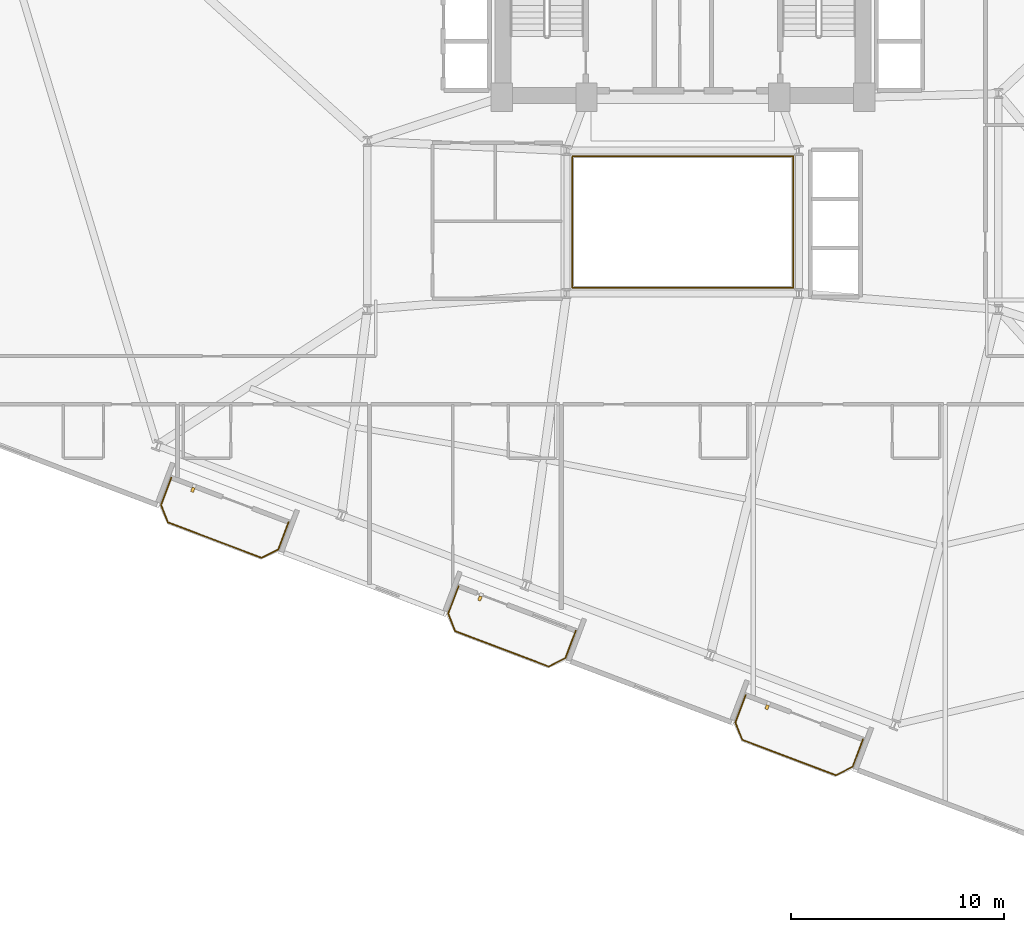
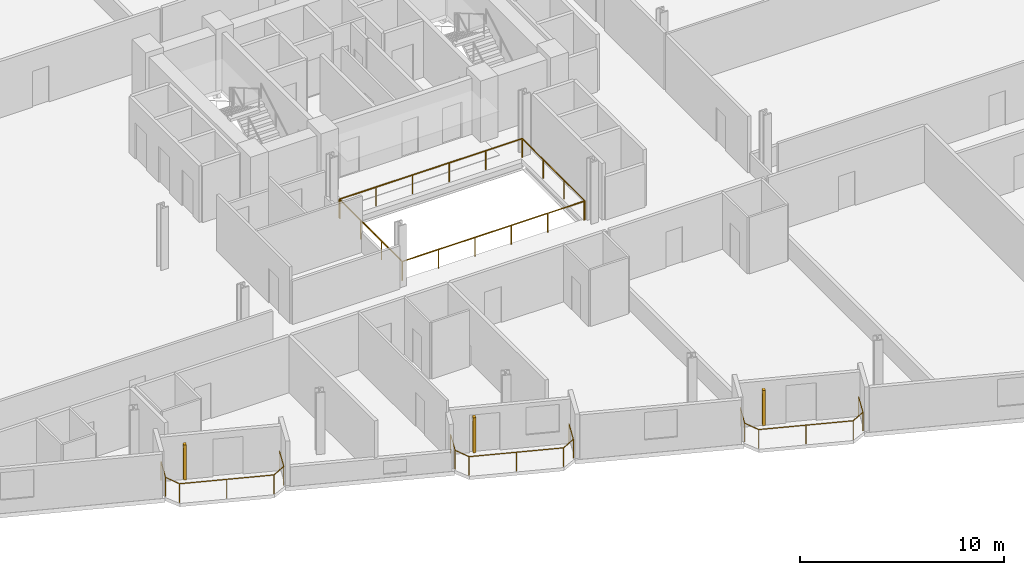
# One storey, part 23 of 25: 5 railings, 3 shading devices.
"""IFC4 building model written with IfcOpenShell, lengths in metres."""

from ifc_helpers import new_model, si_unit, direction, frame, origin, origin_2d, place, context, subcontext, project, spatial, rectangle, circle, extrude, source, transform, mapped, material, type_object, element, save


model = new_model("IFC4")

# Units and contexts
model_context = context("Model", 3, precision=1e-05, world=origin(), true_north=direction((0.0, 1.0)))
body_context = subcontext(model_context, "Body", "Model", "MODEL_VIEW")
ifc_project = project(units=[si_unit("LENGTHUNIT", "METRE"), si_unit("AREAUNIT", "SQUARE_METRE"), si_unit("VOLUMEUNIT", "CUBIC_METRE"), si_unit("PLANEANGLEUNIT", "RADIAN"), si_unit("MASSUNIT", "GRAM", prefix="KILO")], contexts=[model_context])

# Site, building, storey
site_placement = place(None, origin())
site = spatial("IfcSite", under=ifc_project, at=site_placement, CompositionType="ELEMENT")
building_placement = place(site_placement, origin())
building = spatial("IfcBuilding", under=site, at=building_placement, Name="Varnelok Gate Tower", CompositionType="ELEMENT")
storey_placement = place(building_placement, frame((0.0, 0.0, 113.199951171875)))
storey = spatial("IfcBuildingStorey", under=building, at=storey_placement, Name="L28", CompositionType="ELEMENT", Elevation=113.199951171875)

# Railings
ifc_material_1 = material(Name="Tempered Laminated Balustrade Glass", Category="glass")
railing_type_1 = type_object("IfcRailingType", Name="RL-ATR-GUARD1150", PredefinedType="GUARDRAIL", material=ifc_material_1)
railing_1_placement = place(storey_placement, frame((34.02001953125, 25.929931640625, 0.0)))
element("IfcRailing", 1, at=railing_1_placement, inside=storey, type_object=railing_type_1, Name="L28 Internal Atrium South-West Guardrail", PredefinedType="GUARDRAIL", context=body_context, shape_type="SweptSolid", body=[
    extrude(circle(Radius=0.02392578125, at=origin_2d()), frame((0.0, 0.0, 1.1259765625), z_axis=(0.0, -1.0, 0.0), x_axis=(1.0, 0.0, 0.0)), (0.0, 0.0, 1.0), 6.10986328125),
    extrude(circle(Radius=0.02392578125, at=origin_2d()), frame((0.0, -6.10986328125, 1.1259765625), z_axis=(1.0, 0.0, 0.0), x_axis=(0.0, 1.0, 0.0)), (0.0, 0.0, 1.0), 10.31005859375),
    extrude(circle(Radius=0.02099609375, at=origin_2d()), origin(), (0.0, 0.0, 1.0), 1.101806640625),
    extrude(circle(Radius=0.02099609375, at=origin_2d()), frame((0.0, -2.03662109375, 0.0)), (0.0, 0.0, 1.0), 1.101806640625),
    extrude(circle(Radius=0.02099609375, at=origin_2d()), frame((0.0, -4.0732421875, 0.0)), (0.0, 0.0, 1.0), 1.101806640625),
    extrude(circle(Radius=0.02099609375, at=origin_2d()), frame((0.0, -6.10986328125, 0.0)), (0.0, 0.0, 1.0), 1.101806640625),
    extrude(circle(Radius=0.02099609375, at=origin_2d()), frame((2.06201171875, -6.10986328125, 0.0)), (0.0, 0.0, 1.0), 1.101806640625),
    extrude(circle(Radius=0.02099609375, at=origin_2d()), frame((4.1240234375, -6.10986328125, 0.0)), (0.0, 0.0, 1.0), 1.101806640625),
    extrude(circle(Radius=0.02099609375, at=origin_2d()), frame((6.18603515625, -6.10986328125, 0.0)), (0.0, 0.0, 1.0), 1.101806640625),
    extrude(circle(Radius=0.02099609375, at=origin_2d()), frame((8.248046875, -6.10986328125, 0.0)), (0.0, 0.0, 1.0), 1.101806640625),
    extrude(circle(Radius=0.02099609375, at=origin_2d()), frame((10.31005859375, -6.10986328125, 0.0)), (0.0, 0.0, 1.0), 1.101806640625),
])
railing_2_placement = place(storey_placement, frame((44.3798828125, 19.820068359375, 0.0)))
element("IfcRailing", 2, at=railing_2_placement, inside=storey, type_object=railing_type_1, Name="L28 Internal Atrium North-East Guardrail", PredefinedType="GUARDRAIL", context=body_context, shape_type="SweptSolid", body=[
    extrude(circle(Radius=0.02392578125, at=origin_2d()), frame((0.0, 0.0, 1.1259765625), z_axis=(0.0, 1.0, 0.0), x_axis=(-1.0, 0.0, 0.0)), (0.0, 0.0, 1.0), 6.159912109375),
    extrude(circle(Radius=0.02392578125, at=origin_2d()), frame((0.0, 6.159912109375, 1.1259765625), z_axis=(-1.0, 0.0, 0.0), x_axis=(0.0, -1.0, 0.0)), (0.0, 0.0, 1.0), 10.35986328125),
    extrude(circle(Radius=0.02099609375, at=origin_2d()), origin(), (0.0, 0.0, 1.0), 1.101806640625),
    extrude(circle(Radius=0.02099609375, at=origin_2d()), frame((0.0, 2.05322265625, 0.0)), (0.0, 0.0, 1.0), 1.101806640625),
    extrude(circle(Radius=0.02099609375, at=origin_2d()), frame((0.0, 4.106689453125, 0.0)), (0.0, 0.0, 1.0), 1.101806640625),
    extrude(circle(Radius=0.02099609375, at=origin_2d()), frame((0.0, 6.159912109375, 0.0)), (0.0, 0.0, 1.0), 1.101806640625),
    extrude(circle(Radius=0.02099609375, at=origin_2d()), frame((-2.072021484375, 6.159912109375, 0.0)), (0.0, 0.0, 1.0), 1.101806640625),
    extrude(circle(Radius=0.02099609375, at=origin_2d()), frame((-4.14404296875, 6.159912109375, 0.0)), (0.0, 0.0, 1.0), 1.101806640625),
    extrude(circle(Radius=0.02099609375, at=origin_2d()), frame((-6.2158203125, 6.159912109375, 0.0)), (0.0, 0.0, 1.0), 1.101806640625),
    extrude(circle(Radius=0.02099609375, at=origin_2d()), frame((-8.287841796875, 6.159912109375, 0.0)), (0.0, 0.0, 1.0), 1.101806640625),
    extrude(circle(Radius=0.02099609375, at=origin_2d()), frame((-10.35986328125, 6.159912109375, 0.0)), (0.0, 0.0, 1.0), 1.101806640625),
])
ifc_material_2 = material(Name="Low-E Laminated Double Glazing IGU", Category="glass")
railing_type_2 = type_object("IfcRailingType", Name="RL-BALC-1150", PredefinedType="BALUSTRADE", material=ifc_material_2)
railing_3_placement = place(storey_placement, frame((15.211669921875, 10.911376953125, 0.0)))
element("IfcRailing", 3, at=railing_3_placement, inside=storey, type_object=railing_type_2, Name="L28 South Terrace Balustrade 1", PredefinedType="BALUSTRADE", context=body_context, shape_type="SweptSolid", body=[
    extrude(circle(Radius=0.02392578125, at=origin_2d()), frame((0.0, 0.0, 1.1259765625), z_axis=(-0.354090105886, -0.935211311369, 0.0), x_axis=(0.935211311369, -0.354090105886, 0.0)), (0.0, 0.0, 1.0), 1.3701171875),
    extrude(circle(Radius=0.02392578125, at=origin_2d()), frame((-0.485107421875, -1.28125, 1.1259765625), z_axis=(0.366254584666, -0.930514685113, 0.0), x_axis=(0.930514685113, 0.366254584666, 0.0)), (0.0, 0.0, 1.0), 0.8779296875),
    extrude(circle(Radius=0.02392578125, at=origin_2d()), frame((-0.16357421875, -2.09814453125, 1.1259765625), z_axis=(0.935223045203, -0.354059113314, 0.0), x_axis=(0.354059113314, 0.935223045203, 0.0)), (0.0, 0.0, 1.0), 4.699951171875),
    extrude(circle(Radius=0.02392578125, at=origin_2d()), frame((4.23193359375, -3.76220703125, 1.1259765625), z_axis=(0.89078254773, 0.454429810487, 0.0), x_axis=(-0.454429810487, 0.89078254773, 0.0)), (0.0, 0.0, 1.0), 0.8779296875),
    extrude(circle(Radius=0.02392578125, at=origin_2d()), frame((5.013916015625, -3.36328125, 1.1259765625), z_axis=(0.354090105886, 0.935211311369, 0.0), x_axis=(-0.935211311369, 0.354090105886, 0.0)), (0.0, 0.0, 1.0), 1.3701171875),
    extrude(circle(Radius=0.02099609375, at=origin_2d()), origin(), (0.0, 0.0, 1.0), 1.101806640625),
    extrude(circle(Radius=0.02099609375, at=origin_2d()), frame((-0.485107421875, -1.28125, 0.0)), (0.0, 0.0, 1.0), 1.101806640625),
    extrude(circle(Radius=0.02099609375, at=origin_2d()), frame((-0.16357421875, -2.09814453125, 0.0)), (0.0, 0.0, 1.0), 1.101806640625),
    extrude(circle(Radius=0.02099609375, at=origin_2d()), frame((2.0341796875, -2.93017578125, 0.0)), (0.0, 0.0, 1.0), 1.101806640625),
    extrude(circle(Radius=0.02099609375, at=origin_2d()), frame((4.23193359375, -3.76220703125, 0.0)), (0.0, 0.0, 1.0), 1.101806640625),
    extrude(circle(Radius=0.02099609375, at=origin_2d()), frame((5.013916015625, -3.36328125, 0.0)), (0.0, 0.0, 1.0), 1.101806640625),
    extrude(circle(Radius=0.02099609375, at=origin_2d()), frame((5.4990234375, -2.08203125, 0.0)), (0.0, 0.0, 1.0), 1.101806640625),
])
railing_4_placement = place(storey_placement, frame((28.6787109375, 5.812744140625, 0.0)))
element("IfcRailing", 4, at=railing_4_placement, inside=storey, type_object=railing_type_2, Name="L28 South Terrace Balustrade 2", PredefinedType="BALUSTRADE", context=body_context, shape_type="SweptSolid", body=[
    extrude(circle(Radius=0.02392578125, at=origin_2d()), frame((0.0, 0.0, 1.1259765625), z_axis=(-0.354090105886, -0.935211311369, 0.0), x_axis=(0.935211311369, -0.354090105886, 0.0)), (0.0, 0.0, 1.0), 1.3701171875),
    extrude(circle(Radius=0.02392578125, at=origin_2d()), frame((-0.485107421875, -1.28125, 1.1259765625), z_axis=(0.36659018357, -0.930382522036, 0.0), x_axis=(0.930382522036, 0.36659018357, 0.0)), (0.0, 0.0, 1.0), 0.877685546875),
    extrude(circle(Radius=0.02392578125, at=origin_2d()), frame((-0.163330078125, -2.097900390625, 1.1259765625), z_axis=(0.935223045203, -0.354059113314, 0.0), x_axis=(0.354059113314, 0.935223045203, 0.0)), (0.0, 0.0, 1.0), 4.699951171875),
    extrude(circle(Radius=0.02392578125, at=origin_2d()), frame((4.232177734375, -3.761962890625, 1.1259765625), z_axis=(0.89078254773, 0.454429810487, 0.0), x_axis=(-0.454429810487, 0.89078254773, 0.0)), (0.0, 0.0, 1.0), 0.8779296875),
    extrude(circle(Radius=0.02392578125, at=origin_2d()), frame((5.01416015625, -3.363037109375, 1.1259765625), z_axis=(0.354090105886, 0.935211311369, 0.0), x_axis=(-0.935211311369, 0.354090105886, 0.0)), (0.0, 0.0, 1.0), 1.3701171875),
    extrude(circle(Radius=0.02099609375, at=origin_2d()), origin(), (0.0, 0.0, 1.0), 1.101806640625),
    extrude(circle(Radius=0.02099609375, at=origin_2d()), frame((-0.485107421875, -1.28125, 0.0)), (0.0, 0.0, 1.0), 1.101806640625),
    extrude(circle(Radius=0.02099609375, at=origin_2d()), frame((-0.163330078125, -2.097900390625, 0.0)), (0.0, 0.0, 1.0), 1.101806640625),
    extrude(circle(Radius=0.02099609375, at=origin_2d()), frame((2.034423828125, -2.929931640625, 0.0)), (0.0, 0.0, 1.0), 1.101806640625),
    extrude(circle(Radius=0.02099609375, at=origin_2d()), frame((4.232177734375, -3.761962890625, 0.0)), (0.0, 0.0, 1.0), 1.101806640625),
    extrude(circle(Radius=0.02099609375, at=origin_2d()), frame((5.01416015625, -3.363037109375, 0.0)), (0.0, 0.0, 1.0), 1.101806640625),
    extrude(circle(Radius=0.02099609375, at=origin_2d()), frame((5.499267578125, -2.081787109375, 0.0)), (0.0, 0.0, 1.0), 1.101806640625),
])
railing_5_placement = place(storey_placement, frame((42.14599609375, 0.71435546875, 0.0)))
element("IfcRailing", 5, at=railing_5_placement, inside=storey, type_object=railing_type_2, Name="L28 South Terrace Balustrade 3", PredefinedType="BALUSTRADE", context=body_context, shape_type="SweptSolid", body=[
    extrude(circle(Radius=0.02392578125, at=origin_2d()), frame((0.0, 0.0, 1.1259765625), z_axis=(-0.354090105886, -0.935211311369, 0.0), x_axis=(0.935211311369, -0.354090105886, 0.0)), (0.0, 0.0, 1.0), 1.3701171875),
    extrude(circle(Radius=0.02392578125, at=origin_2d()), frame((-0.485107421875, -1.28125, 1.1259765625), z_axis=(0.366254584666, -0.930514685113, 0.0), x_axis=(0.930514685113, 0.366254584666, 0.0)), (0.0, 0.0, 1.0), 0.8779296875),
    extrude(circle(Radius=0.02392578125, at=origin_2d()), frame((-0.16357421875, -2.09814453125, 1.1259765625), z_axis=(0.935229556479, -0.354041913744, 0.0), x_axis=(0.354041913744, 0.935229556479, 0.0)), (0.0, 0.0, 1.0), 4.7001953125),
    extrude(circle(Radius=0.02392578125, at=origin_2d()), frame((4.232177734375, -3.76220703125, 1.1259765625), z_axis=(0.890612455555, 0.454763074589, 0.0), x_axis=(-0.454763074589, 0.890612455555, 0.0)), (0.0, 0.0, 1.0), 0.877685546875),
    extrude(circle(Radius=0.02392578125, at=origin_2d()), frame((5.013916015625, -3.363037109375, 1.1259765625), z_axis=(0.3541491269, 0.935188962679, 0.0), x_axis=(-0.935188962679, 0.3541491269, 0.0)), (0.0, 0.0, 1.0), 1.369873046875),
    extrude(circle(Radius=0.02099609375, at=origin_2d()), origin(), (0.0, 0.0, 1.0), 1.101806640625),
    extrude(circle(Radius=0.02099609375, at=origin_2d()), frame((-0.485107421875, -1.28125, 0.0)), (0.0, 0.0, 1.0), 1.101806640625),
    extrude(circle(Radius=0.02099609375, at=origin_2d()), frame((-0.16357421875, -2.09814453125, 0.0)), (0.0, 0.0, 1.0), 1.101806640625),
    extrude(circle(Radius=0.02099609375, at=origin_2d()), frame((2.0341796875, -2.93017578125, 0.0)), (0.0, 0.0, 1.0), 1.101806640625),
    extrude(circle(Radius=0.02099609375, at=origin_2d()), frame((4.232177734375, -3.76220703125, 0.0)), (0.0, 0.0, 1.0), 1.101806640625),
    extrude(circle(Radius=0.02099609375, at=origin_2d()), frame((5.013916015625, -3.363037109375, 0.0)), (0.0, 0.0, 1.0), 1.101806640625),
    extrude(circle(Radius=0.02099609375, at=origin_2d()), frame((5.4990234375, -2.08203125, 0.0)), (0.0, 0.0, 1.0), 1.101806640625),
])

# Shading devices
ifc_material_3 = material(Name="Glazed Architectural Terracotta Ceramic", Category="masonry")
shading_device_type = type_object("IfcShadingDeviceType", Name="SHD-TERRA-BAGUETTE", PredefinedType="USERDEFINED", material=ifc_material_3)
shared_shape = source(origin(), body_context, "Body", "SweptSolid", [
    extrude(rectangle(XDim=0.139892578125, YDim=0.219970703125, at=origin_2d()), origin(), (0.0, 0.0, 1.0), 2.10009765625),
])
for number, where, z_axis, x_axis, name in (
    (6, (16.214111328125, 10.33935546875, 0.10009765625), (0.0, 0.0, 1.0), (0.935221751401, -0.354062530786, 0.0), "L28 Terracotta Ceramic Baguette Sunscreen 1.1"),
    (7, (29.68115234375, 5.240966796875, 0.10009765625), (0.0, 0.0, 1.0), (0.935221751401, -0.354062530786, 0.0), "L28 Terracotta Ceramic Baguette Sunscreen 2.1"),
    (8, (43.1484375, 0.142333984375, 0.10009765625), (0.0, 0.0, 1.0), (0.935221751401, -0.354062530786, 0.0), "L28 Terracotta Ceramic Baguette Sunscreen 3.1"),
):
    element("IfcShadingDevice", number, at=place(storey_placement, frame(where, z_axis=z_axis, x_axis=x_axis)), inside=storey, type_object=shading_device_type, Name=name, ObjectType="BAGUETTE", PredefinedType="USERDEFINED", context=body_context, shape_type="MappedRepresentation", body=[
        mapped(shared_shape, transform((0.0, 0.0, 0.0), scale=1.0)),
    ])

save(model, "model.ifc")
